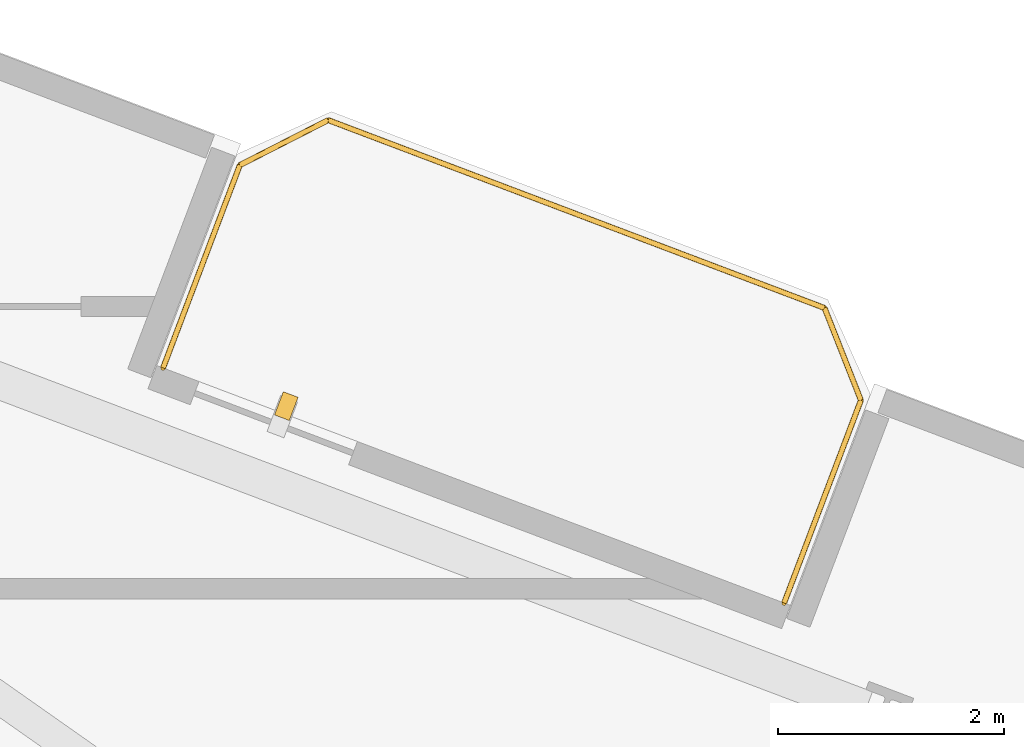
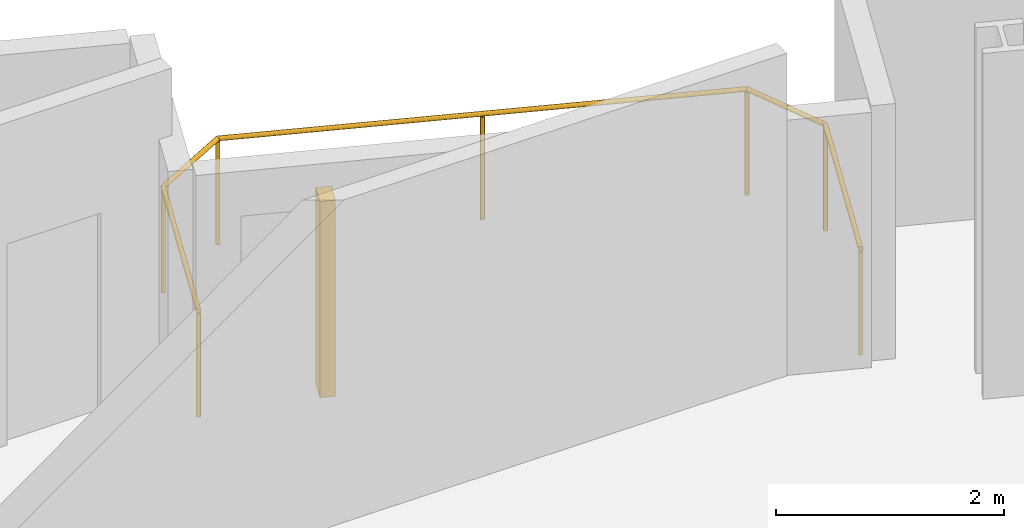
# One storey, part 24 of 24: 1 railing, 1 shading device.
"""IFC4 building model written with IfcOpenShell, lengths in metres."""

from ifc_helpers import new_model, si_unit, direction, frame, origin, origin_2d, place, context, subcontext, project, spatial, rectangle, circle, extrude, source, transform, mapped, material, type_object, element, save


model = new_model("IFC4")

# Units and contexts
model_context = context("Model", 3, precision=1e-05, world=origin(), true_north=direction((0.0, 1.0)))
body_context = subcontext(model_context, "Body", "Model", "MODEL_VIEW")
ifc_project = project(units=[si_unit("LENGTHUNIT", "METRE"), si_unit("AREAUNIT", "SQUARE_METRE"), si_unit("VOLUMEUNIT", "CUBIC_METRE"), si_unit("PLANEANGLEUNIT", "RADIAN"), si_unit("MASSUNIT", "GRAM", prefix="KILO")], contexts=[model_context])

# Site, building, storey
site_placement = place(None, origin())
site = spatial("IfcSite", under=ifc_project, at=site_placement, CompositionType="ELEMENT")
building_placement = place(site_placement, origin())
building = spatial("IfcBuilding", under=site, at=building_placement, Name="Varnelok Gate Tower", CompositionType="ELEMENT")
storey_placement = place(building_placement, frame((0.0, 0.0, 102.10009765625)))
storey = spatial("IfcBuildingStorey", under=building, at=storey_placement, Name="L25", CompositionType="ELEMENT", Elevation=102.10009765625)

# Railing
ifc_material_1 = material(Name="Low-E Laminated Double Glazing IGU", Category="glass")
railing_type = type_object("IfcRailingType", Name="RL-BALC-1150", PredefinedType="BALUSTRADE", material=ifc_material_1)
railing_placement = place(storey_placement, frame((57.49462890625, 41.256103515625, 0.0)))
element("IfcRailing", 1, at=railing_placement, inside=storey, type_object=railing_type, Name="L25 North Terrace Balustrade 6", PredefinedType="BALUSTRADE", context=body_context, shape_type="SweptSolid", body=[
    extrude(circle(Radius=0.02392578125, at=origin_2d()), frame((0.0, 0.0, 1.1259765625), z_axis=(0.354006333352, 0.935243025073, 0.0), x_axis=(-0.935243025073, 0.354006333352, 0.0)), (0.0, 0.0, 1.0), 1.919921875),
    extrude(circle(Radius=0.02392578125, at=origin_2d()), frame((0.6796875, 1.795654296875, 1.1259765625), z_axis=(0.89078254773, 0.454429810487, 0.0), x_axis=(-0.454429810487, 0.89078254773, 0.0)), (0.0, 0.0, 1.0), 0.8779296875),
    extrude(circle(Radius=0.02392578125, at=origin_2d()), frame((1.461669921875, 2.194580078125, 1.1259765625), z_axis=(0.935223045203, -0.354059113314, 0.0), x_axis=(0.354059113314, 0.935223045203, 0.0)), (0.0, 0.0, 1.0), 4.699951171875),
    extrude(circle(Radius=0.02392578125, at=origin_2d()), frame((5.857177734375, 0.530517578125, 1.1259765625), z_axis=(0.36659018357, -0.930382522036, 0.0), x_axis=(0.930382522036, 0.36659018357, 0.0)), (0.0, 0.0, 1.0), 0.877685546875),
    extrude(circle(Radius=0.02392578125, at=origin_2d()), frame((6.178955078125, -0.2861328125, 1.1259765625), z_axis=(-0.354117547856, -0.935200920819, 0.0), x_axis=(0.935200920819, -0.354117547856, 0.0)), (0.0, 0.0, 1.0), 1.920166015625),
    extrude(circle(Radius=0.02099609375, at=origin_2d()), origin(), (0.0, 0.0, 1.0), 1.101806640625),
    extrude(circle(Radius=0.02099609375, at=origin_2d()), frame((0.6796875, 1.795654296875, 0.0)), (0.0, 0.0, 1.0), 1.101806640625),
    extrude(circle(Radius=0.02099609375, at=origin_2d()), frame((1.461669921875, 2.194580078125, 0.0)), (0.0, 0.0, 1.0), 1.101806640625),
    extrude(circle(Radius=0.02099609375, at=origin_2d()), frame((3.659423828125, 1.362548828125, 0.0)), (0.0, 0.0, 1.0), 1.101806640625),
    extrude(circle(Radius=0.02099609375, at=origin_2d()), frame((5.857177734375, 0.530517578125, 0.0)), (0.0, 0.0, 1.0), 1.101806640625),
    extrude(circle(Radius=0.02099609375, at=origin_2d()), frame((6.178955078125, -0.2861328125, 0.0)), (0.0, 0.0, 1.0), 1.101806640625),
    extrude(circle(Radius=0.02099609375, at=origin_2d()), frame((5.4990234375, -2.081787109375, 0.0)), (0.0, 0.0, 1.0), 1.101806640625),
])

# Shading device
ifc_material_2 = material(Name="Glazed Architectural Terracotta Ceramic", Category="masonry")
shading_device_type = type_object("IfcShadingDeviceType", Name="SHD-TERRA-FIN", PredefinedType="USERDEFINED", material=ifc_material_2)
shared_shape = source(origin(), body_context, "Body", "SweptSolid", [
    extrude(rectangle(XDim=0.139892578125, YDim=0.219970703125, at=origin_2d()), origin(), (0.0, 0.0, 1.0), 2.10009765625),
])
shading_device_placement = place(storey_placement, frame((58.58544921875, 40.91796875, 0.099853515625), z_axis=(0.0, 0.0, 1.0), x_axis=(0.935221751401, -0.354062530786, 0.0)))
element("IfcShadingDevice", 2, at=shading_device_placement, inside=storey, type_object=shading_device_type, Name="L25 Terracotta Ceramic Baguette Sunscreen 6.1", ObjectType="BAGUETTE", PredefinedType="USERDEFINED", context=body_context, shape_type="MappedRepresentation", body=[
    mapped(shared_shape, transform((0.0, 0.0, 0.0), scale=1.0)),
])

save(model, "model.ifc")
